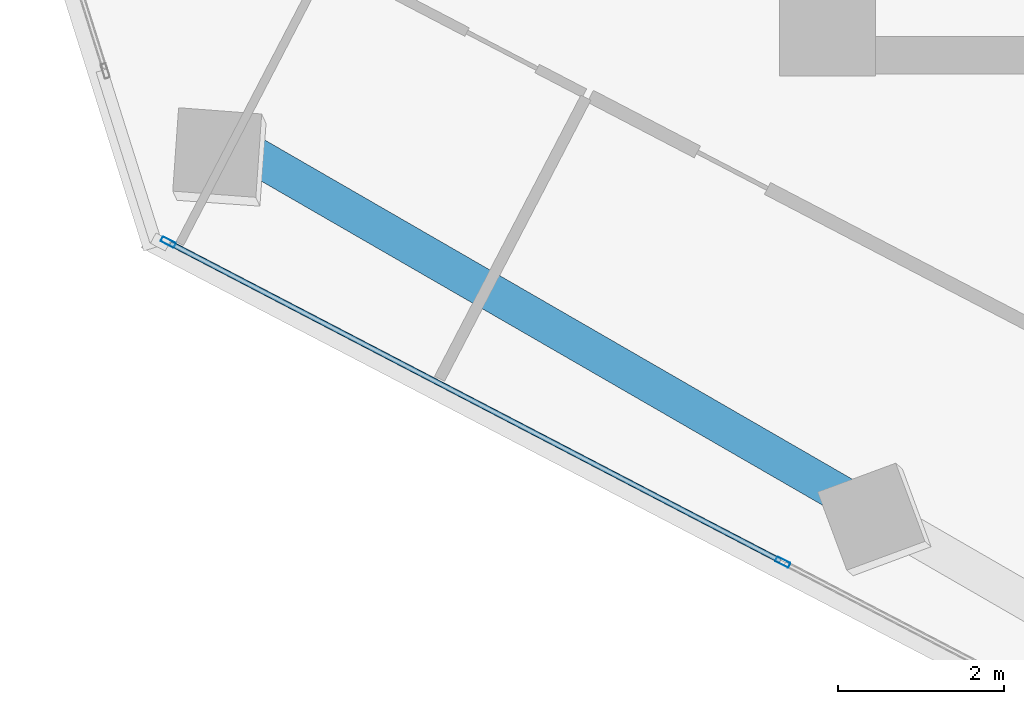
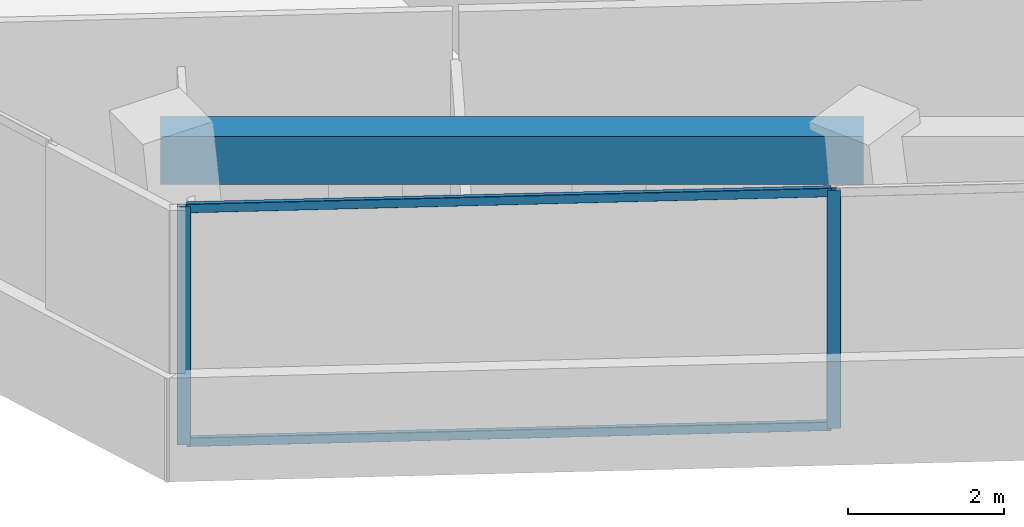
# One storey, part 2 of 22: 4 members, 1 beam, 1 element without a shape of its own.
"""IFC4 building model written with IfcOpenShell, lengths in metres."""

from ifc_helpers import new_model, si_unit, direction, frame, origin, origin_2d, place, context, subcontext, project, spatial, rectangle, hollow_rectangle, extrude, source, transform, mapped, material, material_profile, profile_set, type_object, element, aggregate, save


model = new_model("IFC4")

# Units and contexts
model_context = context("Model", 3, precision=1e-05, world=origin(), true_north=direction((0.0, 1.0)))
body_context = subcontext(model_context, "Body", "Model", "MODEL_VIEW")
ifc_project = project(units=[si_unit("LENGTHUNIT", "METRE"), si_unit("AREAUNIT", "SQUARE_METRE"), si_unit("VOLUMEUNIT", "CUBIC_METRE"), si_unit("PLANEANGLEUNIT", "RADIAN"), si_unit("MASSUNIT", "GRAM", prefix="KILO")], contexts=[model_context])

# Site, building, storey
site_placement = place(None, origin())
site = spatial("IfcSite", under=ifc_project, at=site_placement, CompositionType="ELEMENT")
building_placement = place(site_placement, origin())
building = spatial("IfcBuilding", under=site, at=building_placement, Name="Torre Montelarca", CompositionType="ELEMENT")
storey_placement = place(building_placement, frame((0.0, 0.0, 175.0)))
storey = spatial("IfcBuildingStorey", under=building, at=storey_placement, Name="L39", CompositionType="ELEMENT", Elevation=175.0)

# Beam
ifc_material_1 = material(Name="Concrete C55/67", Category="concrete")
ifc_material_profile_1 = material_profile(ifc_material_1, rectangle(XDim=0.449951171875, YDim=0.75, at=origin_2d()), Name="RCB450X750", Category="concrete")
ifc_profile_set_1 = profile_set([ifc_material_profile_1], Name="Concrete C55/67")
beam_type = type_object("IfcBeamType", Name="BM-SP-RC750-EXT", PredefinedType="SPANDREL", material=ifc_profile_set_1)
shared_shape_1 = source(origin(), body_context, "Body", "SweptSolid", [
    extrude(rectangle(XDim=0.449951171875, YDim=0.75, at=origin_2d()), origin(), (0.0, 0.0, 1.0), 9.0),
])
beam_placement = place(storey_placement, frame((2.07470703125, 23.3544921875, 3.5849609375), z_axis=(0.866024315419, -0.5000018851, 0.0), x_axis=(0.5000018851, 0.866024315419, 0.0)))
element("IfcBeam", 1, at=beam_placement, inside=storey, type_object=beam_type, Name="L39 Grid Girder X 9.0-18.0 at Y=14.8", PredefinedType="SPANDREL", context=body_context, shape_type="MappedRepresentation", body=[
    mapped(shared_shape_1, transform((0.0, 0.0, 0.0), scale=1.0)),
])

# Curtain wall, members
ifc_material_2 = material(Name="Insulated low-E laminated glass", Category="glass")
curtain_wall_type = type_object("IfcCurtainWallType", Name="CW-SYS-Z2", PredefinedType="USERDEFINED", material=ifc_material_2)
curtain_wall_placement = place(storey_placement, origin())
curtain_wall = element("IfcCurtainWall", 2, at=curtain_wall_placement, inside=storey, type_object=curtain_wall_type, Name="L39 Curtain Wall Run CW-T3-L39-E01-B1", ObjectType="UNITISED GLAZING", PredefinedType="USERDEFINED")
ifc_material_3 = material(Name="Anodised aluminium AA 6063-T6", Category="aluminium")
ifc_material_profile_2 = material_profile(ifc_material_3, hollow_rectangle(XDim=0.06494140625, YDim=0.179931640625, WallThickness=0.00390625, InnerFilletRadius=0.00390625, OuterFilletRadius=0.008056640625, at=origin_2d()), Name="ALU65X180X4", Category="aluminium")
ifc_profile_set_2 = profile_set([ifc_material_profile_2], Name="Anodised aluminium AA 6063-T6")
member_type_1 = type_object("IfcMemberType", Name="CWM-ALU180", PredefinedType="MULLION", material=ifc_profile_set_2)
shared_shape_2 = source(origin(), body_context, "Body", "SweptSolid", [
    extrude(hollow_rectangle(XDim=0.06494140625, YDim=0.179931640625, WallThickness=0.00390625, InnerFilletRadius=0.00390625, OuterFilletRadius=0.008056640625, at=origin_2d()), origin(), (0.0, 0.0, 1.0), 3.719970703125),
])
member_1_placement = place(storey_placement, frame((1.62353515625, 21.97509765625, 0.0), z_axis=(0.0, 0.0, 1.0), x_axis=(0.461746558035, 0.887011903045, 0.0)))
member_1 = element("IfcMember", 3, at=member_1_placement, type_object=member_type_1, Name="CW mullion 1", PredefinedType="MULLION", context=body_context, shape_type="MappedRepresentation", body=[
    mapped(shared_shape_2, transform((0.0, 0.0, 0.0), scale=1.0)),
])
member_2_placement = place(storey_placement, frame((9.01171875, 18.129150390625, 0.0), z_axis=(0.0, 0.0, 1.0), x_axis=(0.461746558035, 0.887011903045, 0.0)))
member_2 = element("IfcMember", 4, at=member_2_placement, type_object=member_type_1, Name="CW mullion 2", PredefinedType="MULLION", context=body_context, shape_type="MappedRepresentation", body=[
    mapped(shared_shape_2, transform((0.0, 0.0, 0.0), scale=1.0)),
])
ifc_material_profile_3 = material_profile(ifc_material_3, hollow_rectangle(XDim=0.06494140625, YDim=0.139892578125, WallThickness=0.00390625, InnerFilletRadius=0.00390625, OuterFilletRadius=0.008056640625, at=origin_2d()), Name="ALU65X140X4", Category="aluminium")
ifc_profile_set_3 = profile_set([ifc_material_profile_3], Name="Anodised aluminium AA 6063-T6")
member_type_2 = type_object("IfcMemberType", Name="CWT-ALU140", PredefinedType="USERDEFINED", material=ifc_profile_set_3)
shared_shape_3 = source(origin(), body_context, "Body", "SweptSolid", [
    extrude(hollow_rectangle(XDim=0.06494140625, YDim=0.139892578125, WallThickness=0.00390625, InnerFilletRadius=0.00390625, OuterFilletRadius=0.008056640625, at=origin_2d()), origin(), (0.0, 0.0, 1.0), 8.264404296875),
])
member_3_placement = place(storey_placement, frame((1.65234375, 21.960205078125, 0.032470703125), z_axis=(0.887005343139, -0.461759159349, 0.0), x_axis=(0.461759159349, 0.887005343139, 0.0)))
member_3 = element("IfcMember", 5, at=member_3_placement, type_object=member_type_2, Name="CW transom 1.1", ObjectType="TRANSOM", PredefinedType="USERDEFINED", context=body_context, shape_type="MappedRepresentation", body=[
    mapped(shared_shape_3, transform((0.0, 0.0, 0.0), scale=1.0)),
])
member_4_placement = place(storey_placement, frame((1.65234375, 21.960205078125, 3.6875), z_axis=(0.887005343139, -0.461759159349, 0.0), x_axis=(0.461759159349, 0.887005343139, 0.0)))
member_4 = element("IfcMember", 6, at=member_4_placement, type_object=member_type_2, Name="CW transom 1.2", ObjectType="TRANSOM", PredefinedType="USERDEFINED", context=body_context, shape_type="MappedRepresentation", body=[
    mapped(shared_shape_3, transform((0.0, 0.0, 0.0), scale=1.0)),
])
aggregate(curtain_wall, [member_1, member_2, member_3, member_4])

save(model, "model.ifc")
